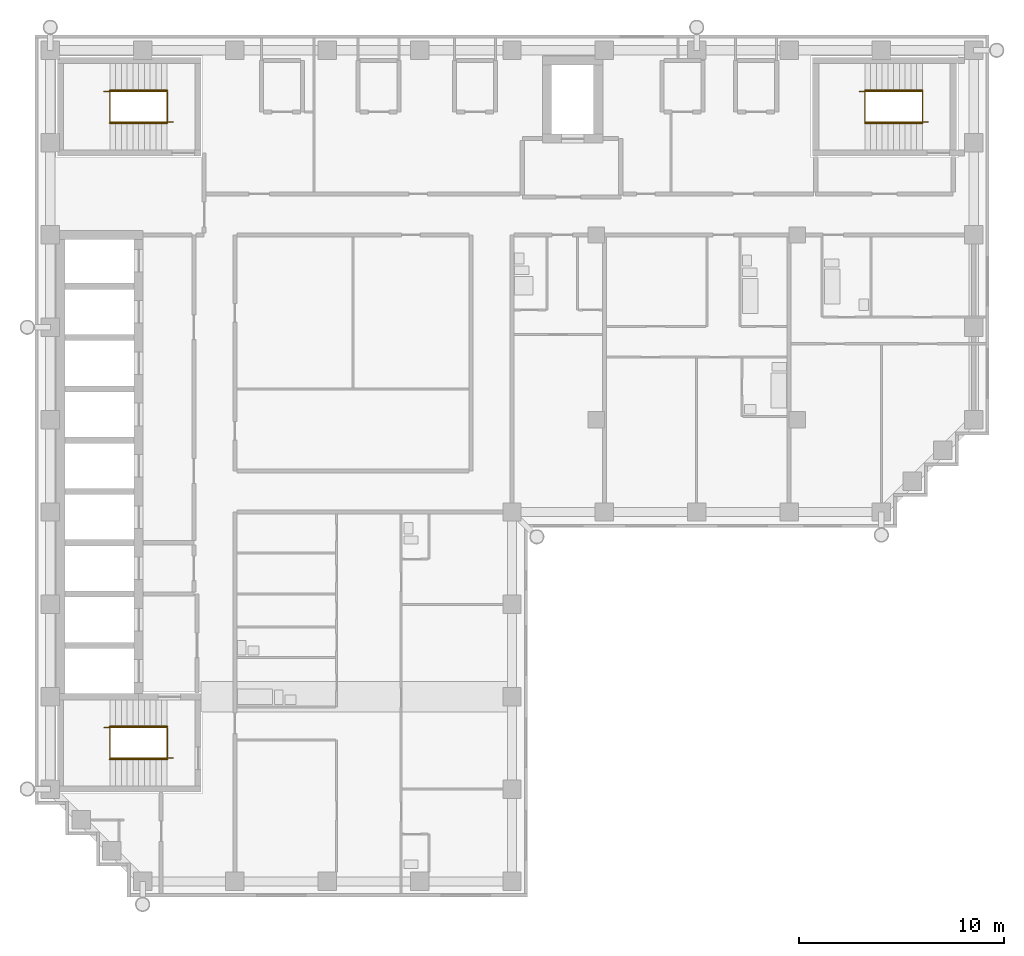
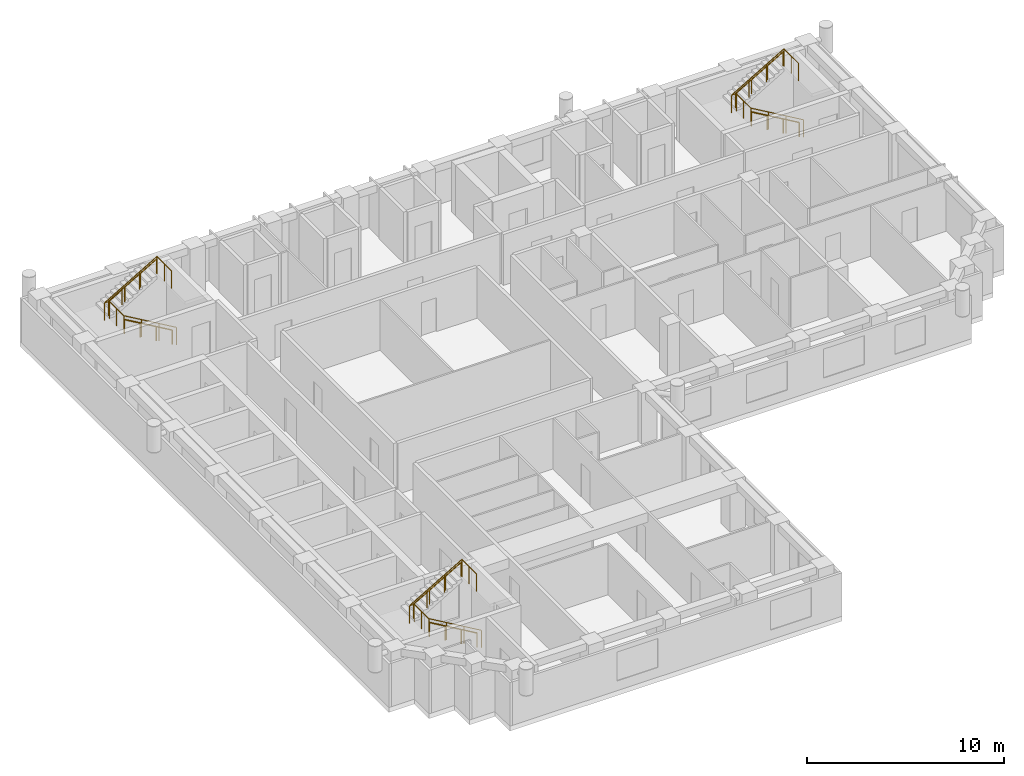
# One storey, part 8 of 9: 9 railings.
"""IFC4 building model written with IfcOpenShell, lengths in metres."""

from ifc_helpers import new_model, si_unit, direction, frame, origin, origin_2d, place, context, subcontext, project, spatial, circle, extrude, material, type_object, element, save


model = new_model("IFC4")

# Units and contexts
model_context = context("Model", 3, precision=1e-05, world=origin(), true_north=direction((0.0, 1.0)))
body_context = subcontext(model_context, "Body", "Model", "MODEL_VIEW")
ifc_project = project(units=[si_unit("LENGTHUNIT", "METRE"), si_unit("AREAUNIT", "SQUARE_METRE"), si_unit("VOLUMEUNIT", "CUBIC_METRE"), si_unit("PLANEANGLEUNIT", "RADIAN"), si_unit("MASSUNIT", "GRAM", prefix="KILO")], contexts=[model_context])

# Site, building, storey
site_placement = place(None, origin())
site = spatial("IfcSite", under=ifc_project, at=site_placement, CompositionType="ELEMENT")
building_placement = place(site_placement, origin())
building = spatial("IfcBuilding", under=site, at=building_placement, Name="Firuza Court", CompositionType="ELEMENT")
storey_placement = place(building_placement, frame((0.0, 0.0, 254.60009765625)))
storey = spatial("IfcBuildingStorey", under=building, at=storey_placement, Name="L66", CompositionType="ELEMENT", Elevation=254.60009765625)

# Railings
ifc_material_1 = material(Name="Steel S355", Category="steel")
railing_type_1 = type_object("IfcRailingType", Name="Handrail 900", PredefinedType="HANDRAIL", material=ifc_material_1)
railing_1_placement = place(storey_placement, frame((42.5, 54.949951171875, 0.16357421875)))
element("IfcRailing", 1, at=railing_1_placement, inside=storey, type_object=railing_type_1, Name="Handrail S1 flight 1", PredefinedType="HANDRAIL", context=body_context, shape_type="SweptSolid", body=[
    extrude(circle(Radius=0.02490234375, at=origin_2d()), frame((0.0, 0.0, 0.875), z_axis=(-0.863393664356, 0.0, 0.504530851732), x_axis=(0.0, -1.0, 0.0)), (0.0, 0.0, 1.0), 3.2431640625),
    extrude(circle(Radius=0.02001953125, at=origin_2d()), origin(), (0.0, 0.0, 1.0), 0.849853515625),
    extrude(circle(Radius=0.02001953125, at=origin_2d()), frame((-0.933349609375, 0.0, 0.54541015625)), (0.0, 0.0, 1.0), 0.849853515625),
    extrude(circle(Radius=0.02001953125, at=origin_2d()), frame((-1.86669921875, 0.0, 1.0908203125)), (0.0, 0.0, 1.0), 0.849853515625),
    extrude(circle(Radius=0.02001953125, at=origin_2d()), frame((-2.800048828125, 0.0, 1.63623046875)), (0.0, 0.0, 1.0), 0.849853515625),
])
railing_2_placement = place(storey_placement, frame((39.699951171875, 56.550048828125, 1.963623046875)))
element("IfcRailing", 2, at=railing_2_placement, inside=storey, type_object=railing_type_1, Name="Handrail S1 flight 2", PredefinedType="HANDRAIL", context=body_context, shape_type="SweptSolid", body=[
    extrude(circle(Radius=0.02490234375, at=origin_2d()), frame((0.0, 0.0, 0.875), z_axis=(0.863393664356, 0.0, 0.504530851732), x_axis=(0.0, 1.0, 0.0)), (0.0, 0.0, 1.0), 3.2431640625),
    extrude(circle(Radius=0.02001953125, at=origin_2d()), origin(), (0.0, 0.0, 1.0), 0.849853515625),
    extrude(circle(Radius=0.02001953125, at=origin_2d()), frame((0.933349609375, 0.0, 0.54541015625)), (0.0, 0.0, 1.0), 0.849853515625),
    extrude(circle(Radius=0.02001953125, at=origin_2d()), frame((1.86669921875, 0.0, 1.0908203125)), (0.0, 0.0, 1.0), 0.849853515625),
    extrude(circle(Radius=0.02001953125, at=origin_2d()), frame((2.800048828125, 0.0, 1.63623046875)), (0.0, 0.0, 1.0), 0.849853515625),
])
railing_3_placement = place(storey_placement, frame((5.699951171875, 23.949951171875, 0.16357421875)))
element("IfcRailing", 3, at=railing_3_placement, inside=storey, type_object=railing_type_1, Name="Handrail S2 flight 1", PredefinedType="HANDRAIL", context=body_context, shape_type="SweptSolid", body=[
    extrude(circle(Radius=0.02490234375, at=origin_2d()), frame((0.0, 0.0, 0.875), z_axis=(-0.863393664356, 0.0, 0.504530851732), x_axis=(0.0, -1.0, 0.0)), (0.0, 0.0, 1.0), 3.2431640625),
    extrude(circle(Radius=0.02001953125, at=origin_2d()), origin(), (0.0, 0.0, 1.0), 0.849853515625),
    extrude(circle(Radius=0.02001953125, at=origin_2d()), frame((-0.933349609375, 0.0, 0.54541015625)), (0.0, 0.0, 1.0), 0.849853515625),
    extrude(circle(Radius=0.02001953125, at=origin_2d()), frame((-1.86669921875, 0.0, 1.0908203125)), (0.0, 0.0, 1.0), 0.849853515625),
    extrude(circle(Radius=0.02001953125, at=origin_2d()), frame((-2.800048828125, 0.0, 1.63623046875)), (0.0, 0.0, 1.0), 0.849853515625),
])
railing_4_placement = place(storey_placement, frame((2.89990234375, 25.550048828125, 1.963623046875)))
element("IfcRailing", 4, at=railing_4_placement, inside=storey, type_object=railing_type_1, Name="Handrail S2 flight 2", PredefinedType="HANDRAIL", context=body_context, shape_type="SweptSolid", body=[
    extrude(circle(Radius=0.02490234375, at=origin_2d()), frame((0.0, 0.0, 0.875), z_axis=(0.863393664356, 0.0, 0.504530851732), x_axis=(0.0, 1.0, 0.0)), (0.0, 0.0, 1.0), 3.2431640625),
    extrude(circle(Radius=0.02001953125, at=origin_2d()), origin(), (0.0, 0.0, 1.0), 0.849853515625),
    extrude(circle(Radius=0.02001953125, at=origin_2d()), frame((0.933349609375, 0.0, 0.54541015625)), (0.0, 0.0, 1.0), 0.849853515625),
    extrude(circle(Radius=0.02001953125, at=origin_2d()), frame((1.86669921875, 0.0, 1.0908203125)), (0.0, 0.0, 1.0), 0.849853515625),
    extrude(circle(Radius=0.02001953125, at=origin_2d()), frame((2.800048828125, 0.0, 1.63623046875)), (0.0, 0.0, 1.0), 0.849853515625),
])
railing_5_placement = place(storey_placement, frame((5.699951171875, 54.949951171875, 0.16357421875)))
element("IfcRailing", 5, at=railing_5_placement, inside=storey, type_object=railing_type_1, Name="Handrail S3 flight 1", PredefinedType="HANDRAIL", context=body_context, shape_type="SweptSolid", body=[
    extrude(circle(Radius=0.02490234375, at=origin_2d()), frame((0.0, 0.0, 0.875), z_axis=(-0.863393664356, 0.0, 0.504530851732), x_axis=(0.0, -1.0, 0.0)), (0.0, 0.0, 1.0), 3.2431640625),
    extrude(circle(Radius=0.02001953125, at=origin_2d()), origin(), (0.0, 0.0, 1.0), 0.849853515625),
    extrude(circle(Radius=0.02001953125, at=origin_2d()), frame((-0.933349609375, 0.0, 0.54541015625)), (0.0, 0.0, 1.0), 0.849853515625),
    extrude(circle(Radius=0.02001953125, at=origin_2d()), frame((-1.86669921875, 0.0, 1.0908203125)), (0.0, 0.0, 1.0), 0.849853515625),
    extrude(circle(Radius=0.02001953125, at=origin_2d()), frame((-2.800048828125, 0.0, 1.63623046875)), (0.0, 0.0, 1.0), 0.849853515625),
])
railing_6_placement = place(storey_placement, frame((2.89990234375, 56.550048828125, 1.963623046875)))
element("IfcRailing", 6, at=railing_6_placement, inside=storey, type_object=railing_type_1, Name="Handrail S3 flight 2", PredefinedType="HANDRAIL", context=body_context, shape_type="SweptSolid", body=[
    extrude(circle(Radius=0.02490234375, at=origin_2d()), frame((0.0, 0.0, 0.875), z_axis=(0.863393664356, 0.0, 0.504530851732), x_axis=(0.0, 1.0, 0.0)), (0.0, 0.0, 1.0), 3.2431640625),
    extrude(circle(Radius=0.02001953125, at=origin_2d()), origin(), (0.0, 0.0, 1.0), 0.849853515625),
    extrude(circle(Radius=0.02001953125, at=origin_2d()), frame((0.933349609375, 0.0, 0.54541015625)), (0.0, 0.0, 1.0), 0.849853515625),
    extrude(circle(Radius=0.02001953125, at=origin_2d()), frame((1.86669921875, 0.0, 1.0908203125)), (0.0, 0.0, 1.0), 0.849853515625),
    extrude(circle(Radius=0.02001953125, at=origin_2d()), frame((2.800048828125, 0.0, 1.63623046875)), (0.0, 0.0, 1.0), 0.849853515625),
])
ifc_material_2 = material(Name="Steel S355", Category="steel")
railing_type_2 = type_object("IfcRailingType", Name="Stair guard 1100", PredefinedType="GUARDRAIL", material=ifc_material_2)
railing_7_placement = place(storey_placement, frame((42.780029296875, 55.010009765625, 0.0)))
element("IfcRailing", 7, at=railing_7_placement, inside=storey, type_object=railing_type_2, Name="Stair well guard S1", PredefinedType="GUARDRAIL", context=body_context, shape_type="SweptSolid", body=[
    extrude(circle(Radius=0.02490234375, at=origin_2d()), frame((0.0, 0.0, 1.0751953125), z_axis=(-0.863401368682, 0.0, 0.504517667242), x_axis=(0.0, -1.0, 0.0)), (0.0, 0.0, 1.0), 3.5673828125),
    extrude(circle(Radius=0.02490234375, at=origin_2d()), frame((-3.080078125, 0.0, 2.875), z_axis=(0.0, 1.0, 0.0), x_axis=(-1.0, 0.0, 0.0)), (0.0, 0.0, 1.0), 1.47998046875),
    extrude(circle(Radius=0.02490234375, at=origin_2d()), frame((-3.080078125, 1.47998046875, 2.875), z_axis=(-1.0, 0.0, 0.0), x_axis=(0.0, -1.0, 0.0)), (0.0, 0.0, 1.0), 0.280029296875),
    extrude(circle(Radius=0.02490234375, at=origin_2d()), frame((-3.360107421875, 1.47998046875, 2.875), z_axis=(0.863371556955, 0.0, 0.504568681787), x_axis=(0.0, 1.0, 0.0)), (0.0, 0.0, 1.0), 3.5673828125),
    extrude(circle(Radius=0.02490234375, at=origin_2d()), frame((-0.280029296875, 1.47998046875, 4.6748046875), z_axis=(0.0, -1.0, 0.0), x_axis=(1.0, 0.0, 0.0)), (0.0, 0.0, 1.0), 1.47998046875),
    extrude(circle(Radius=0.02490234375, at=origin_2d()), origin(), (0.0, 0.0, 1.0), 1.050048828125),
    extrude(circle(Radius=0.02490234375, at=origin_2d()), frame((-1.026611328125, 0.0, 0.599853515625)), (0.0, 0.0, 1.0), 1.050048828125),
    extrude(circle(Radius=0.02490234375, at=origin_2d()), frame((-2.053466796875, 0.0, 1.199951171875)), (0.0, 0.0, 1.0), 1.050048828125),
    extrude(circle(Radius=0.02490234375, at=origin_2d()), frame((-3.080078125, 0.0, 1.7998046875)), (0.0, 0.0, 1.0), 1.050048828125),
    extrude(circle(Radius=0.02490234375, at=origin_2d()), frame((-3.080078125, 0.739990234375, 1.7998046875)), (0.0, 0.0, 1.0), 1.050048828125),
    extrude(circle(Radius=0.02490234375, at=origin_2d()), frame((-3.080078125, 1.47998046875, 1.7998046875)), (0.0, 0.0, 1.0), 1.050048828125),
    extrude(circle(Radius=0.02490234375, at=origin_2d()), frame((-3.360107421875, 1.47998046875, 1.7998046875)), (0.0, 0.0, 1.0), 1.050048828125),
    extrude(circle(Radius=0.02490234375, at=origin_2d()), frame((-2.33349609375, 1.47998046875, 2.39990234375)), (0.0, 0.0, 1.0), 1.050048828125),
    extrude(circle(Radius=0.02490234375, at=origin_2d()), frame((-1.306640625, 1.47998046875, 2.999755859375)), (0.0, 0.0, 1.0), 1.050048828125),
    extrude(circle(Radius=0.02490234375, at=origin_2d()), frame((-0.280029296875, 1.47998046875, 3.599853515625)), (0.0, 0.0, 1.0), 1.050048828125),
    extrude(circle(Radius=0.02490234375, at=origin_2d()), frame((-0.280029296875, 0.739990234375, 3.599853515625)), (0.0, 0.0, 1.0), 1.050048828125),
    extrude(circle(Radius=0.02490234375, at=origin_2d()), frame((-0.280029296875, 0.0, 3.599853515625)), (0.0, 0.0, 1.0), 1.050048828125),
])
railing_8_placement = place(storey_placement, frame((5.97998046875, 24.010009765625, 0.0)))
element("IfcRailing", 8, at=railing_8_placement, inside=storey, type_object=railing_type_2, Name="Stair well guard S2", PredefinedType="GUARDRAIL", context=body_context, shape_type="SweptSolid", body=[
    extrude(circle(Radius=0.02490234375, at=origin_2d()), frame((0.0, 0.0, 1.0751953125), z_axis=(-0.863401368682, 0.0, 0.504517667242), x_axis=(0.0, -1.0, 0.0)), (0.0, 0.0, 1.0), 3.5673828125),
    extrude(circle(Radius=0.02490234375, at=origin_2d()), frame((-3.080078125, 0.0, 2.875), z_axis=(0.0, 1.0, 0.0), x_axis=(-1.0, 0.0, 0.0)), (0.0, 0.0, 1.0), 1.47998046875),
    extrude(circle(Radius=0.02490234375, at=origin_2d()), frame((-3.080078125, 1.47998046875, 2.875), z_axis=(-1.0, 0.0, 0.0), x_axis=(0.0, -1.0, 0.0)), (0.0, 0.0, 1.0), 0.27978515625),
    extrude(circle(Radius=0.02490234375, at=origin_2d()), frame((-3.35986328125, 1.47998046875, 2.875), z_axis=(0.863354132664, 0.0, 0.504598495452), x_axis=(0.0, 1.0, 0.0)), (0.0, 0.0, 1.0), 3.5673828125),
    extrude(circle(Radius=0.02490234375, at=origin_2d()), frame((-0.280029296875, 1.47998046875, 4.6748046875), z_axis=(0.0, -1.0, 0.0), x_axis=(1.0, 0.0, 0.0)), (0.0, 0.0, 1.0), 1.47998046875),
    extrude(circle(Radius=0.02490234375, at=origin_2d()), origin(), (0.0, 0.0, 1.0), 1.050048828125),
    extrude(circle(Radius=0.02490234375, at=origin_2d()), frame((-1.026611328125, 0.0, 0.599853515625)), (0.0, 0.0, 1.0), 1.050048828125),
    extrude(circle(Radius=0.02490234375, at=origin_2d()), frame((-2.053466796875, 0.0, 1.199951171875)), (0.0, 0.0, 1.0), 1.050048828125),
    extrude(circle(Radius=0.02490234375, at=origin_2d()), frame((-3.080078125, 0.0, 1.7998046875)), (0.0, 0.0, 1.0), 1.050048828125),
    extrude(circle(Radius=0.02490234375, at=origin_2d()), frame((-3.080078125, 0.739990234375, 1.7998046875)), (0.0, 0.0, 1.0), 1.050048828125),
    extrude(circle(Radius=0.02490234375, at=origin_2d()), frame((-3.080078125, 1.47998046875, 1.7998046875)), (0.0, 0.0, 1.0), 1.050048828125),
    extrude(circle(Radius=0.02490234375, at=origin_2d()), frame((-3.35986328125, 1.47998046875, 1.7998046875)), (0.0, 0.0, 1.0), 1.050048828125),
    extrude(circle(Radius=0.02490234375, at=origin_2d()), frame((-2.333251953125, 1.47998046875, 2.39990234375)), (0.0, 0.0, 1.0), 1.050048828125),
    extrude(circle(Radius=0.02490234375, at=origin_2d()), frame((-1.306640625, 1.47998046875, 2.999755859375)), (0.0, 0.0, 1.0), 1.050048828125),
    extrude(circle(Radius=0.02490234375, at=origin_2d()), frame((-0.280029296875, 1.47998046875, 3.599853515625)), (0.0, 0.0, 1.0), 1.050048828125),
    extrude(circle(Radius=0.02490234375, at=origin_2d()), frame((-0.280029296875, 0.739990234375, 3.599853515625)), (0.0, 0.0, 1.0), 1.050048828125),
    extrude(circle(Radius=0.02490234375, at=origin_2d()), frame((-0.280029296875, 0.0, 3.599853515625)), (0.0, 0.0, 1.0), 1.050048828125),
])
railing_9_placement = place(storey_placement, frame((5.97998046875, 55.010009765625, 0.0)))
element("IfcRailing", 9, at=railing_9_placement, inside=storey, type_object=railing_type_2, Name="Stair well guard S3", PredefinedType="GUARDRAIL", context=body_context, shape_type="SweptSolid", body=[
    extrude(circle(Radius=0.02490234375, at=origin_2d()), frame((0.0, 0.0, 1.0751953125), z_axis=(-0.863401368682, 0.0, 0.504517667242), x_axis=(0.0, -1.0, 0.0)), (0.0, 0.0, 1.0), 3.5673828125),
    extrude(circle(Radius=0.02490234375, at=origin_2d()), frame((-3.080078125, 0.0, 2.875), z_axis=(0.0, 1.0, 0.0), x_axis=(-1.0, 0.0, 0.0)), (0.0, 0.0, 1.0), 1.47998046875),
    extrude(circle(Radius=0.02490234375, at=origin_2d()), frame((-3.080078125, 1.47998046875, 2.875), z_axis=(-1.0, 0.0, 0.0), x_axis=(0.0, -1.0, 0.0)), (0.0, 0.0, 1.0), 0.27978515625),
    extrude(circle(Radius=0.02490234375, at=origin_2d()), frame((-3.35986328125, 1.47998046875, 2.875), z_axis=(0.863354132664, 0.0, 0.504598495452), x_axis=(0.0, 1.0, 0.0)), (0.0, 0.0, 1.0), 3.5673828125),
    extrude(circle(Radius=0.02490234375, at=origin_2d()), frame((-0.280029296875, 1.47998046875, 4.6748046875), z_axis=(0.0, -1.0, 0.0), x_axis=(1.0, 0.0, 0.0)), (0.0, 0.0, 1.0), 1.47998046875),
    extrude(circle(Radius=0.02490234375, at=origin_2d()), origin(), (0.0, 0.0, 1.0), 1.050048828125),
    extrude(circle(Radius=0.02490234375, at=origin_2d()), frame((-1.026611328125, 0.0, 0.599853515625)), (0.0, 0.0, 1.0), 1.050048828125),
    extrude(circle(Radius=0.02490234375, at=origin_2d()), frame((-2.053466796875, 0.0, 1.199951171875)), (0.0, 0.0, 1.0), 1.050048828125),
    extrude(circle(Radius=0.02490234375, at=origin_2d()), frame((-3.080078125, 0.0, 1.7998046875)), (0.0, 0.0, 1.0), 1.050048828125),
    extrude(circle(Radius=0.02490234375, at=origin_2d()), frame((-3.080078125, 0.739990234375, 1.7998046875)), (0.0, 0.0, 1.0), 1.050048828125),
    extrude(circle(Radius=0.02490234375, at=origin_2d()), frame((-3.080078125, 1.47998046875, 1.7998046875)), (0.0, 0.0, 1.0), 1.050048828125),
    extrude(circle(Radius=0.02490234375, at=origin_2d()), frame((-3.35986328125, 1.47998046875, 1.7998046875)), (0.0, 0.0, 1.0), 1.050048828125),
    extrude(circle(Radius=0.02490234375, at=origin_2d()), frame((-2.333251953125, 1.47998046875, 2.39990234375)), (0.0, 0.0, 1.0), 1.050048828125),
    extrude(circle(Radius=0.02490234375, at=origin_2d()), frame((-1.306640625, 1.47998046875, 2.999755859375)), (0.0, 0.0, 1.0), 1.050048828125),
    extrude(circle(Radius=0.02490234375, at=origin_2d()), frame((-0.280029296875, 1.47998046875, 3.599853515625)), (0.0, 0.0, 1.0), 1.050048828125),
    extrude(circle(Radius=0.02490234375, at=origin_2d()), frame((-0.280029296875, 0.739990234375, 3.599853515625)), (0.0, 0.0, 1.0), 1.050048828125),
    extrude(circle(Radius=0.02490234375, at=origin_2d()), frame((-0.280029296875, 0.0, 3.599853515625)), (0.0, 0.0, 1.0), 1.050048828125),
])

save(model, "model.ifc")
